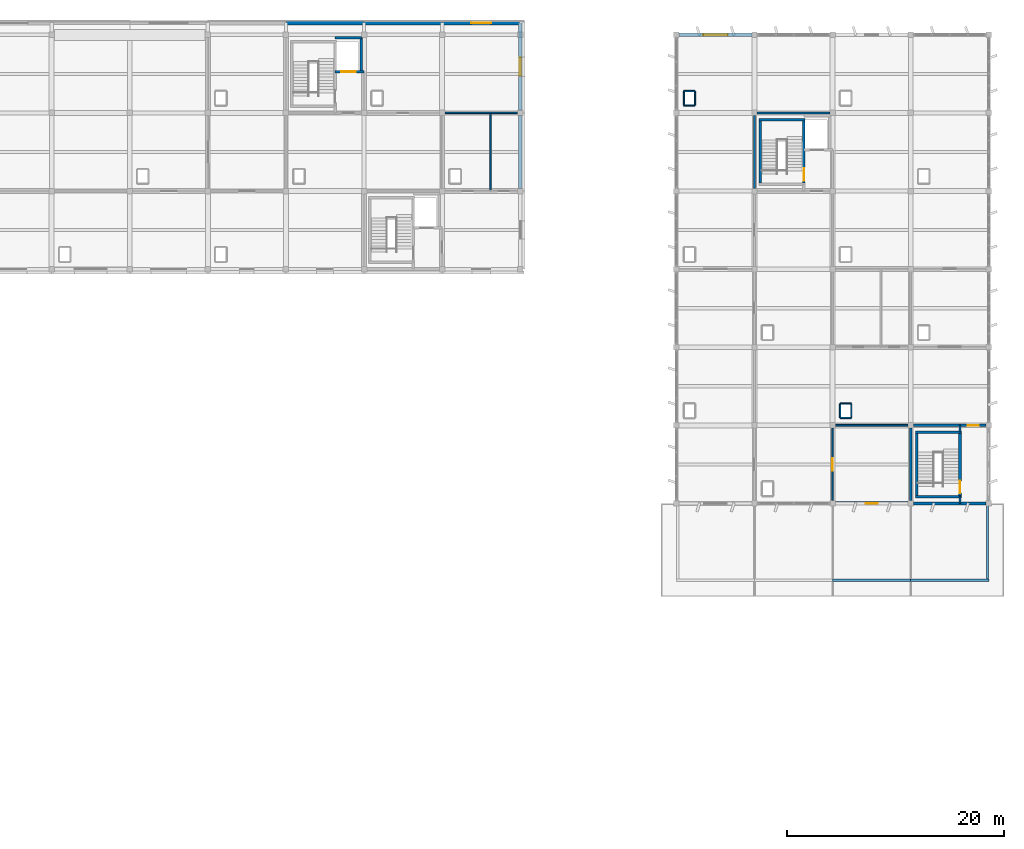
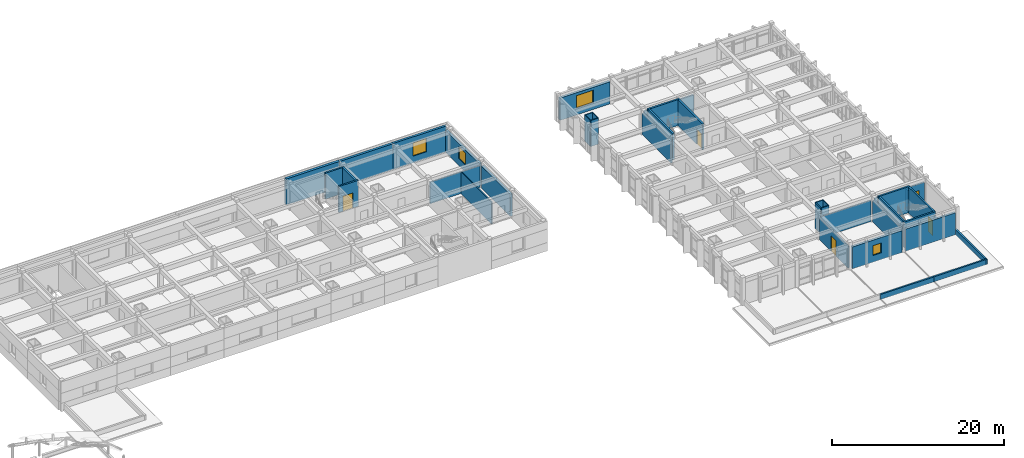
# One storey, part 35 of 40: 40 walls, 5 doors, 4 windows, 9 openings.
"""IFC4 building model written with IfcOpenShell, lengths in metres."""

from ifc_helpers import new_model, si_unit, direction, frame, frame_2d, origin, place, context, subcontext, project, spatial, rectangle, extrude, material, layer, layer_set, type_object, element, fill, save


model = new_model("IFC4")

# Units and contexts
model_context = context("Model", 3, precision=1e-05, world=origin(), true_north=direction((0.0, 1.0)))
body_context = subcontext(model_context, "Body", "Model", "MODEL_VIEW")
ifc_project = project(units=[si_unit("LENGTHUNIT", "METRE"), si_unit("AREAUNIT", "SQUARE_METRE"), si_unit("VOLUMEUNIT", "CUBIC_METRE"), si_unit("PLANEANGLEUNIT", "RADIAN"), si_unit("MASSUNIT", "GRAM", prefix="KILO")], contexts=[model_context])

# Site, building, storey
site_placement = place(None, origin())
site = spatial("IfcSite", under=ifc_project, at=site_placement, CompositionType="ELEMENT")
building_placement = place(site_placement, origin())
building = spatial("IfcBuilding", under=site, at=building_placement, Name="Kavelor Marine Aquarium", CompositionType="ELEMENT")
storey_placement = place(building_placement, frame((0.0, 0.0, 17.639892578125)))
storey = spatial("IfcBuildingStorey", under=building, at=storey_placement, Name="L04", CompositionType="ELEMENT", Elevation=17.639892578125)

# Walls
ifc_material_1 = material(Name="Concrete C45/55", Category="concrete")
ifc_layer_1 = layer(ifc_material_1, 0.360107421875)
ifc_layer_set_1 = layer_set([ifc_layer_1], Name="WL-EX1")
wall_type_1 = type_object("IfcWallType", Name="WL-EX1", PredefinedType="STANDARD", material=ifc_layer_set_1)
wall_1_placement = place(storey_placement, frame((82.39990234375, 111.8798828125, 0.0), z_axis=(0.0, 0.0, 1.0), x_axis=(1.0, 0.0, 0.0)))
element("IfcWall", 1, at=wall_1_placement, inside=storey, type_object=wall_type_1, Name="ew:x:L04:11_15", PredefinedType="STANDARD", context=body_context, shape_type="SweptSolid", body=[
    extrude(rectangle(XDim=7.2001953125, YDim=0.360107421875, at=frame_2d((3.60009765625, 0.0))), origin(), (0.0, 0.0, 1.0), 3.690185546875),
])
ifc_material_2 = material(Name="Concrete C45/55", Category="concrete")
ifc_layer_2 = layer(ifc_material_2, 0.320068359375)
ifc_layer_set_2 = layer_set([ifc_layer_2], Name="WL-EX2")
wall_type_2 = type_object("IfcWallType", Name="WL-EX2", PredefinedType="STANDARD", material=ifc_layer_set_2)
wall_2_placement = place(storey_placement, frame((89.60009765625, 111.8798828125, 0.0), z_axis=(0.0, 0.0, 1.0), x_axis=(1.0, 0.0, 0.0)))
element("IfcWall", 2, at=wall_2_placement, inside=storey, type_object=wall_type_2, Name="ew:x:L04:12_15", PredefinedType="STANDARD", context=body_context, shape_type="SweptSolid", body=[
    extrude(rectangle(XDim=7.199951171875, YDim=0.320068359375, at=frame_2d((3.60009765625, 0.0))), origin(), (0.0, 0.0, 1.0), 3.670166015625),
])

# Wall, opening, window
wall_3_placement = place(storey_placement, frame((139.7548828125, 67.60009765625, 0.0), z_axis=(0.0, 0.0, 1.0), x_axis=(-1.0, 0.0, 0.0)))
wall_3 = element("IfcWall", 3, at=wall_3_placement, inside=storey, type_object=wall_type_2, Name="ew:x:L04:18_09", PredefinedType="STANDARD", context=body_context, shape_type="SweptSolid", body=[
    extrude(rectangle(XDim=6.7099609375, YDim=0.320068359375, at=frame_2d((3.35498046875, 0.0))), origin(), (0.0, 0.0, 1.0), 3.1201171875),
])
opening_1_placement = place(wall_3_placement, frame((2.804931640625, 0.0, 0.949951171875)))
opening_1 = element("IfcOpeningElement", 4, at=opening_1_placement, cuts=wall_3, Name="Opening W01", PredefinedType="OPENING", context=body_context, shape_type="SweptSolid", body=[
    extrude(rectangle(XDim=1.10009765625, YDim=1.39990234375, at=frame_2d((0.550048828125, 0.699951171875))), frame((0.0, 0.169921875, 0.0), z_axis=(0.0, -1.0, 0.0), x_axis=(1.0, 0.0, 0.0)), (0.0, 0.0, 1.0), 0.340068),
])
ifc_material_3 = material(Name="Anodised Aluminium Frame with Low-E Double Glazing", Category="aluminium")
window_type_1 = type_object("IfcWindowType", Name="WIN-W01", PartitioningType="SINGLE_PANEL", PredefinedType="WINDOW", material=ifc_material_3)
window_1_placement = place(opening_1_placement, origin())
window_1 = element("IfcWindow", 5, at=window_1_placement, inside=storey, type_object=window_type_1, Name="win:x:L04:18_09", OverallHeight=1.39990234375, OverallWidth=1.10009765625, PartitioningType="SINGLE_PANEL", PredefinedType="WINDOW", context=body_context, shape_type="SweptSolid", body=[
    extrude(rectangle(XDim=1.10009765625, YDim=1.39990234375, at=frame_2d((0.550048828125, 0.699951171875))), frame((0.0, 0.030029296875, 0.0), z_axis=(0.0, -1.0, 0.0), x_axis=(1.0, 0.0, 0.0)), (0.0, 0.0, 1.0), 0.06005859375),
])
fill(opening_1, window_1)

# Wall
wall_4_placement = place(storey_placement, frame((104.0, 103.35498046875, 0.0), z_axis=(0.0, 0.0, 1.0), x_axis=(0.0, -1.0, 0.0)))
element("IfcWall", 6, at=wall_4_placement, inside=storey, type_object=wall_type_2, Name="ew:y:L04:14_13", PredefinedType="STANDARD", context=body_context, shape_type="SweptSolid", body=[
    extrude(rectangle(XDim=6.7099609375, YDim=0.320068359375, at=frame_2d((3.35498046875, 0.0))), origin(), (0.0, 0.0, 1.0), 3.14013671875),
])

# Wall, opening, window
ifc_material_4 = material(Name="Concrete C40/50", Category="concrete")
ifc_layer_3 = layer(ifc_material_4, 0.300048828125)
ifc_layer_set_3 = layer_set([ifc_layer_3], Name="WL-EX3")
wall_type_3 = type_object("IfcWallType", Name="WL-EX3", PredefinedType="STANDARD", material=ifc_layer_set_3)
wall_5_placement = place(storey_placement, frame((96.800048828125, 111.8798828125, 0.0), z_axis=(0.0, 0.0, 1.0), x_axis=(1.0, 0.0, 0.0)))
wall_5 = element("IfcWall", 7, at=wall_5_placement, inside=storey, type_object=wall_type_3, Name="ew:x:L04:13_15", PredefinedType="STANDARD", context=body_context, shape_type="SweptSolid", body=[
    extrude(rectangle(XDim=7.199951171875, YDim=0.300048828125, at=frame_2d((3.60009765625, 0.0))), origin(), (0.0, 0.0, 1.0), 3.690185546875),
])
opening_2_placement = place(wall_5_placement, frame((2.675048828125, 0.0, 0.949951171875)))
opening_2 = element("IfcOpeningElement", 8, at=opening_2_placement, cuts=wall_5, Name="Opening W40", PredefinedType="OPENING", context=body_context, shape_type="SweptSolid", body=[
    extrude(rectangle(XDim=1.85009765625, YDim=1.89990234375, at=frame_2d((0.925048828125, 0.949951171875))), frame((0.0, 0.159912109375, 0.0), z_axis=(0.0, -1.0, 0.0), x_axis=(1.0, 0.0, 0.0)), (0.0, 0.0, 1.0), 0.320049),
])
ifc_material_5 = material(Name="Anodised Aluminium Frame with Low-E Double Glazing", Category="aluminium")
window_type_2 = type_object("IfcWindowType", Name="WIN-W40", PartitioningType="DOUBLE_PANEL_VERTICAL", PredefinedType="WINDOW", material=ifc_material_5)
window_2_placement = place(opening_2_placement, origin())
window_2 = element("IfcWindow", 9, at=window_2_placement, inside=storey, type_object=window_type_2, Name="win:x:L04:13_15", OverallHeight=1.89990234375, OverallWidth=1.85009765625, PartitioningType="SINGLE_PANEL", PredefinedType="WINDOW", context=body_context, shape_type="SweptSolid", body=[
    extrude(rectangle(XDim=1.85009765625, YDim=1.89990234375, at=frame_2d((0.925048828125, 0.949951171875))), frame((0.0, 0.030029296875, 0.0), z_axis=(0.0, -1.0, 0.0), x_axis=(1.0, 0.0, 0.0)), (0.0, 0.0, 1.0), 0.06005859375),
])
fill(opening_2, window_2)

# Wall
wall_6_placement = place(storey_placement, frame((146.955078125, 67.60009765625, 0.0), z_axis=(0.0, 0.0, 1.0), x_axis=(-1.0, 0.0, 0.0)))
element("IfcWall", 10, at=wall_6_placement, inside=storey, type_object=wall_type_3, Name="ew:x:L04:19_09", PredefinedType="STANDARD", context=body_context, shape_type="SweptSolid", body=[
    extrude(rectangle(XDim=6.7099609375, YDim=0.300048828125, at=frame_2d((3.35498046875, 0.0))), origin(), (0.0, 0.0, 1.0), 3.14013671875),
])

# Wall, opening, window
wall_7_placement = place(storey_placement, frame((104.0, 111.8798828125, 0.0), z_axis=(0.0, 0.0, 1.0), x_axis=(0.0, -1.0, 0.0)))
wall_7 = element("IfcWall", 11, at=wall_7_placement, inside=storey, type_object=wall_type_3, Name="ew:y:L04:14_14", PredefinedType="STANDARD", context=body_context, shape_type="SweptSolid", body=[
    extrude(rectangle(XDim=8.034912109375, YDim=0.300048828125, at=frame_2d((4.017578125, 0.0))), origin(), (0.0, 0.0, 1.0), 3.14013671875),
])
opening_3_placement = place(wall_7_placement, frame((3.16748046875, 0.0, 0.949951171875)))
opening_3 = element("IfcOpeningElement", 12, at=opening_3_placement, cuts=wall_7, Name="Opening W07", PredefinedType="OPENING", context=body_context, shape_type="SweptSolid", body=[
    extrude(rectangle(XDim=1.699951171875, YDim=1.75, at=frame_2d((0.85009765625, 0.875))), frame((0.0, 0.159912109375, 0.0), z_axis=(0.0, -1.0, 0.0), x_axis=(1.0, 0.0, 0.0)), (0.0, 0.0, 1.0), 0.320049),
])
ifc_material_6 = material(Name="Anodised Aluminium Frame with Low-E Double Glazing", Category="aluminium")
window_type_3 = type_object("IfcWindowType", Name="WIN-W07", PartitioningType="SINGLE_PANEL", PredefinedType="WINDOW", material=ifc_material_6)
window_3_placement = place(opening_3_placement, origin())
window_3 = element("IfcWindow", 13, at=window_3_placement, inside=storey, type_object=window_type_3, Name="win:y:L04:14_14", OverallHeight=1.75, OverallWidth=1.699951171875, PartitioningType="SINGLE_PANEL", PredefinedType="WINDOW", context=body_context, shape_type="SweptSolid", body=[
    extrude(rectangle(XDim=1.699951171875, YDim=1.75, at=frame_2d((0.85009765625, 0.875))), frame((0.0, 0.030029296875, 0.0), z_axis=(0.0, -1.0, 0.0), x_axis=(1.0, 0.0, 0.0)), (0.0, 0.0, 1.0), 0.06005859375),
])
fill(opening_3, window_3)

ifc_material_7 = material(Name="Concrete C45/55", Category="concrete")
ifc_layer_4 = layer(ifc_material_7, 0.340087890625)
ifc_layer_set_4 = layer_set([ifc_layer_4], Name="WL-EX6")
wall_type_4 = type_object("IfcWallType", Name="WL-EX6", PredefinedType="STANDARD", material=ifc_layer_set_4)
wall_8_placement = place(storey_placement, frame((118.64501953125, 110.800048828125, 0.0), z_axis=(0.0, 0.0, 1.0), x_axis=(1.0, 0.0, 0.0)))
wall_8 = element("IfcWall", 14, at=wall_8_placement, inside=storey, type_object=wall_type_4, Name="ew:x:L04:16_15", PredefinedType="STANDARD", context=body_context, shape_type="SweptSolid", body=[
    extrude(rectangle(XDim=6.7099609375, YDim=0.340087890625, at=frame_2d((3.35498046875, 0.0))), origin(), (0.0, 0.0, 1.0), 3.16015625),
])
opening_4_placement = place(wall_8_placement, frame((2.22998046875, 0.0, 0.949951171875)))
opening_4 = element("IfcOpeningElement", 15, at=opening_4_placement, cuts=wall_8, Name="Opening W42", PredefinedType="OPENING", context=body_context, shape_type="SweptSolid", body=[
    extrude(rectangle(XDim=2.25, YDim=1.800048828125, at=frame_2d((1.125, 0.89990234375))), frame((0.0, 0.179931640625, 0.0), z_axis=(0.0, -1.0, 0.0), x_axis=(1.0, 0.0, 0.0)), (0.0, 0.0, 1.0), 0.360088),
])
ifc_material_8 = material(Name="Anodised Aluminium Frame with Low-E Double Glazing", Category="aluminium")
window_type_4 = type_object("IfcWindowType", Name="WIN-W42", PartitioningType="DOUBLE_PANEL_VERTICAL", PredefinedType="WINDOW", material=ifc_material_8)
window_4_placement = place(opening_4_placement, origin())
window_4 = element("IfcWindow", 16, at=window_4_placement, inside=storey, type_object=window_type_4, Name="win:x:L04:16_15", OverallHeight=1.800048828125, OverallWidth=2.25, PartitioningType="SINGLE_PANEL", PredefinedType="WINDOW", context=body_context, shape_type="SweptSolid", body=[
    extrude(rectangle(XDim=2.25, YDim=1.800048828125, at=frame_2d((1.125, 0.89990234375))), frame((0.0, 0.030029296875, 0.0), z_axis=(0.0, -1.0, 0.0), x_axis=(1.0, 0.0, 0.0)), (0.0, 0.0, 1.0), 0.06005859375),
])
fill(opening_4, window_4)

# Walls
ifc_material_9 = material(Name="Concrete C40/50", Category="concrete")
ifc_layer_5 = layer(ifc_material_9, 0.219970703125)
ifc_layer_set_5 = layer_set([ifc_layer_5], Name="WL-PR2")
wall_type_5 = type_object("IfcWallType", Name="WL-PR2", PredefinedType="PARAPET", material=ifc_layer_set_5)
for number, where, z_axis, x_axis, name in (
    (17, (132.800048828125, 60.52001953125, 0.0), (0.0, 0.0, 1.0), (1.0, 0.0, 0.0), "par:s:L04:18_08"),
    (18, (140.0, 60.52001953125, 0.0), (0.0, 0.0, 1.0), (1.0, 0.0, 0.0), "par:s:L04:19_08"),
):
    element("IfcWall", number, at=place(storey_placement, frame(where, z_axis=z_axis, x_axis=x_axis)), inside=storey, type_object=wall_type_5, Name=name, PredefinedType="PARAPET", context=body_context, shape_type="SweptSolid", body=[
        extrude(rectangle(XDim=7.199951171875, YDim=0.219970703125, at=frame_2d((3.60009765625, 0.0))), origin(), (0.0, 0.0, 1.0), 0.72021484375),
    ])
wall_9_placement = place(storey_placement, frame((147.080078125, 60.39990234375, 0.0), z_axis=(0.0, 0.0, 1.0), x_axis=(0.0, 1.0, 0.0)))
element("IfcWall", 19, at=wall_9_placement, inside=storey, type_object=wall_type_5, Name="par:e:L04:19_08", PredefinedType="PARAPET", context=body_context, shape_type="SweptSolid", body=[
    extrude(rectangle(XDim=7.2001953125, YDim=0.219970703125, at=frame_2d((3.60009765625, 0.0))), origin(), (0.0, 0.0, 1.0), 0.72021484375),
])
ifc_material_10 = material(Name="Concrete Blockwork Partition", Category="masonry")
ifc_layer_6 = layer(ifc_material_10, 0.199951171875)
ifc_layer_set_6 = layer_set([ifc_layer_6], Name="WL-PT1")
wall_type_6 = type_object("IfcWallType", Name="WL-PT1", PredefinedType="PARTITIONING", material=ifc_layer_set_6)
wall_10_placement = place(storey_placement, frame((125.60009765625, 96.64990234375, 0.0), z_axis=(0.0, 0.0, 1.0), x_axis=(0.0, 1.0, 0.0)))
element("IfcWall", 20, at=wall_10_placement, inside=storey, type_object=wall_type_6, Name="pt:lob:C10:L04:w", PredefinedType="PARTITIONING", context=body_context, shape_type="SweptSolid", body=[
    extrude(rectangle(XDim=6.7001953125, YDim=0.199951171875, at=frame_2d((3.35009765625, 0.0))), origin(), (0.0, 0.0, 1.0), 3.070068359375),
])
wall_11_placement = place(storey_placement, frame((125.85009765625, 103.60009765625, 0.0), z_axis=(0.0, 0.0, 1.0), x_axis=(1.0, 0.0, 0.0)))
element("IfcWall", 21, at=wall_11_placement, inside=storey, type_object=wall_type_6, Name="pt:lob:C10:L04:n_full", PredefinedType="PARTITIONING", context=body_context, shape_type="SweptSolid", body=[
    extrude(rectangle(XDim=6.699951171875, YDim=0.199951171875, at=frame_2d((3.35009765625, 0.0))), origin(), (0.0, 0.0, 1.0), 3.090087890625),
])
wall_12_placement = place(storey_placement, frame((144.5400390625, 67.60009765625, 0.0), z_axis=(0.0, 0.0, 1.0), x_axis=(0.0, 1.0, 0.0)))
element("IfcWall", 22, at=wall_12_placement, inside=storey, type_object=wall_type_6, Name="pt:st_close:s:C11:L04", PredefinedType="PARTITIONING", context=body_context, shape_type="SweptSolid", body=[
    extrude(rectangle(XDim=0.619873046875, YDim=0.199951171875, at=frame_2d((0.31005859375, 0.0))), origin(), (0.0, 0.0, 1.0), 3.14013671875),
])
wall_13_placement = place(storey_placement, frame((144.5400390625, 74.179931640625, 0.0), z_axis=(0.0, 0.0, 1.0), x_axis=(0.0, 1.0, 0.0)))
element("IfcWall", 23, at=wall_13_placement, inside=storey, type_object=wall_type_6, Name="pt:st_close:n:C11:L04", PredefinedType="PARTITIONING", context=body_context, shape_type="SweptSolid", body=[
    extrude(rectangle(XDim=0.6201171875, YDim=0.199951171875, at=frame_2d((0.31005859375, 0.0))), origin(), (0.0, 0.0, 1.0), 3.090087890625),
])
wall_14_placement = place(storey_placement, frame((140.0, 67.85009765625, 0.0), z_axis=(0.0, 0.0, 1.0), x_axis=(0.0, 1.0, 0.0)))
element("IfcWall", 24, at=wall_14_placement, inside=storey, type_object=wall_type_6, Name="pt:lob:C11:L04:w", PredefinedType="PARTITIONING", context=body_context, shape_type="SweptSolid", body=[
    extrude(rectangle(XDim=6.699951171875, YDim=0.199951171875, at=frame_2d((3.35009765625, 0.0))), origin(), (0.0, 0.0, 1.0), 3.070068359375),
])
wall_15_placement = place(storey_placement, frame((140.25, 74.800048828125, 0.0), z_axis=(0.0, 0.0, 1.0), x_axis=(1.0, 0.0, 0.0)))
element("IfcWall", 25, at=wall_15_placement, inside=storey, type_object=wall_type_6, Name="pt:lob:C11:L04:n_st", PredefinedType="PARTITIONING", context=body_context, shape_type="SweptSolid", body=[
    extrude(rectangle(XDim=4.2900390625, YDim=0.199951171875, at=frame_2d((2.14501953125, 0.0))), origin(), (0.0, 0.0, 1.0), 3.090087890625),
])

# Wall, opening, door
wall_16_placement = place(storey_placement, frame((144.5400390625, 74.800048828125, 0.0), z_axis=(0.0, 0.0, 1.0), x_axis=(1.0, 0.0, 0.0)))
wall_16 = element("IfcWall", 26, at=wall_16_placement, inside=storey, type_object=wall_type_6, Name="pt:lob:C11:L04:n", PredefinedType="PARTITIONING", context=body_context, shape_type="SweptSolid", body=[
    extrude(rectangle(XDim=2.409912109375, YDim=0.199951171875, at=frame_2d((1.205078125, 0.0))), origin(), (0.0, 0.0, 1.0), 3.090087890625),
])
opening_5_placement = place(wall_16_placement, frame((0.695068359375, 0.0, 0.0)))
opening_5 = element("IfcOpeningElement", 27, at=opening_5_placement, cuts=wall_16, Name="Opening SD1", PredefinedType="OPENING", context=body_context, shape_type="SweptSolid", body=[
    extrude(rectangle(XDim=1.02001953125, YDim=2.14990234375, at=frame_2d((0.510009765625, 1.074951171875))), frame((0.0, 0.10986328125, 0.0), z_axis=(0.0, -1.0, 0.0), x_axis=(1.0, 0.0, 0.0)), (0.0, 0.0, 1.0), 0.219951),
])
ifc_material_11 = material(Name="Fire-Rated Corridor Compartment Door")
door_type_1 = type_object("IfcDoorType", Name="DR-SD1", OperationType="NOTDEFINED", PredefinedType="DOOR", material=ifc_material_11)
door_1_placement = place(opening_5_placement, origin())
door_1 = element("IfcDoor", 28, at=door_1_placement, inside=storey, type_object=door_type_1, Name="Core Lobby Fire Door C11-L04", OperationType="SINGLE_SWING_RIGHT", OverallHeight=2.14990234375, OverallWidth=1.02001953125, PredefinedType="DOOR", context=body_context, shape_type="SweptSolid", body=[
    extrude(rectangle(XDim=1.02001953125, YDim=2.14990234375, at=frame_2d((0.510009765625, 1.074951171875))), frame((0.0, 0.02490234375, 0.0), z_axis=(0.0, -1.0, 0.0), x_axis=(1.0, 0.0, 0.0)), (0.0, 0.0, 1.0), 0.050048828125),
])
fill(opening_5, door_1)

ifc_material_12 = material(Name="Acoustic Gypsum Stud Partition")
ifc_layer_7 = layer(ifc_material_12, 0.159912109375)
ifc_layer_set_7 = layer_set([ifc_layer_7], Name="WL-PT2")
wall_type_7 = type_object("IfcWallType", Name="WL-PT2", PredefinedType="PARTITIONING", material=ifc_layer_set_7)
wall_17_placement = place(storey_placement, frame((132.800048828125, 67.85009765625, 0.0), z_axis=(0.0, 0.0, 1.0), x_axis=(0.0, 1.0, 0.0)))
wall_17 = element("IfcWall", 29, at=wall_17_placement, inside=storey, type_object=wall_type_7, Name="pt:y:L04:17_09", PredefinedType="PARTITIONING", context=body_context, shape_type="SweptSolid", body=[
    extrude(rectangle(XDim=6.699951171875, YDim=0.159912109375, at=frame_2d((3.35009765625, 0.0))), origin(), (0.0, 0.0, 1.0), 3.070068359375),
])
opening_6_placement = place(wall_17_placement, frame((2.77001953125, 0.0, 0.0)))
opening_6 = element("IfcOpeningElement", 30, at=opening_6_placement, cuts=wall_17, Name="Opening D09", PredefinedType="OPENING", context=body_context, shape_type="SweptSolid", body=[
    extrude(rectangle(XDim=1.159912109375, YDim=2.179931640625, at=frame_2d((0.580078125, 1.08984375))), frame((0.0, 0.08984375, 0.0), z_axis=(0.0, -1.0, 0.0), x_axis=(1.0, 0.0, 0.0)), (0.0, 0.0, 1.0), 0.179912),
])
ifc_material_13 = material(Name="Husbandry Prep Marine Door")
door_type_2 = type_object("IfcDoorType", Name="DR-D09", OperationType="NOTDEFINED", PredefinedType="DOOR", material=ifc_material_13)
door_2_placement = place(opening_6_placement, origin())
door_2 = element("IfcDoor", 31, at=door_2_placement, inside=storey, type_object=door_type_2, Name="dr:rm:pt:y:L04:17_09:0", OperationType="SINGLE_SWING_LEFT", OverallHeight=2.179931640625, OverallWidth=1.159912109375, PredefinedType="DOOR", context=body_context, shape_type="SweptSolid", body=[
    extrude(rectangle(XDim=1.159912109375, YDim=2.179931640625, at=frame_2d((0.580078125, 1.08984375))), frame((0.0, 0.02490234375, 0.0), z_axis=(0.0, -1.0, 0.0), x_axis=(1.0, 0.0, 0.0)), (0.0, 0.0, 1.0), 0.050048828125),
])
fill(opening_6, door_2)

# Walls
wall_18_placement = place(storey_placement, frame((133.050048828125, 74.800048828125, 0.0), z_axis=(0.0, 0.0, 1.0), x_axis=(1.0, 0.0, 0.0)))
element("IfcWall", 32, at=wall_18_placement, inside=storey, type_object=wall_type_7, Name="pt:x:L04:18_09", PredefinedType="PARTITIONING", context=body_context, shape_type="SweptSolid", body=[
    extrude(rectangle(XDim=6.699951171875, YDim=0.159912109375, at=frame_2d((3.35009765625, 0.0))), origin(), (0.0, 0.0, 1.0), 3.02001953125),
])
ifc_material_14 = material(Name="Moisture-Resistant Marine Partition")
ifc_layer_8 = layer(ifc_material_14, 0.139892578125)
ifc_layer_set_8 = layer_set([ifc_layer_8], Name="WL-PT3")
wall_type_8 = type_object("IfcWallType", Name="WL-PT3", PredefinedType="PARTITIONING", material=ifc_layer_set_8)
wall_19_placement = place(storey_placement, frame((101.25, 96.39990234375, 0.0), z_axis=(0.0, 0.0, 1.0), x_axis=(0.0, 1.0, 0.0)))
element("IfcWall", 33, at=wall_19_placement, inside=storey, type_object=wall_type_8, Name="pt:san:div:L04:13_13", PredefinedType="PARTITIONING", context=body_context, shape_type="SweptSolid", body=[
    extrude(rectangle(XDim=7.2001953125, YDim=0.139892578125, at=frame_2d((3.60009765625, 0.0))), origin(), (0.0, 0.0, 1.0), 3.1201171875),
])
wall_20_placement = place(storey_placement, frame((97.050048828125, 103.60009765625, 0.0), z_axis=(0.0, 0.0, 1.0), x_axis=(1.0, 0.0, 0.0)))
element("IfcWall", 34, at=wall_20_placement, inside=storey, type_object=wall_type_8, Name="pt:san:enc_n:L04:13_13", PredefinedType="PARTITIONING", context=body_context, shape_type="SweptSolid", body=[
    extrude(rectangle(XDim=6.699951171875, YDim=0.139892578125, at=frame_2d((3.35009765625, 0.0))), origin(), (0.0, 0.0, 1.0), 3.090087890625),
])
ifc_material_15 = material(Name="Lightweight Drywall Partition")
ifc_layer_9 = layer(ifc_material_15, 0.1201171875)
ifc_layer_set_9 = layer_set([ifc_layer_9], Name="WL-PT4")
wall_type_9 = type_object("IfcWallType", Name="WL-PT4", PredefinedType="PARTITIONING", material=ifc_layer_set_9)
for number, where, z_axis, x_axis, name in (
    (35, (119.090087890625, 104.2900390625, 0.0), (0.0, 0.0, 1.0), (1.0, 0.0, 0.0), "riser:s:L04:16_14"),
    (36, (119.090087890625, 105.610107421875, 0.0), (0.0, 0.0, 1.0), (1.0, 0.0, 0.0), "riser:n:L04:16_14"),
):
    element("IfcWall", number, at=place(storey_placement, frame(where, z_axis=z_axis, x_axis=x_axis)), inside=storey, type_object=wall_type_9, Name=name, PredefinedType="PARTITIONING", context=body_context, shape_type="SweptSolid", body=[
        extrude(rectangle(XDim=1.02001953125, YDim=0.1201171875, at=frame_2d((0.510009765625, 0.0))), origin(), (0.0, 0.0, 1.0), 3.7001953125),
    ])
for number, where, z_axis, x_axis, name in (
    (37, (119.090087890625, 104.2900390625, 0.0), (0.0, 0.0, 1.0), (0.0, 1.0, 0.0), "riser:w:L04:16_14"),
    (38, (120.110107421875, 104.2900390625, 0.0), (0.0, 0.0, 1.0), (0.0, 1.0, 0.0), "riser:e:L04:16_14"),
):
    element("IfcWall", number, at=place(storey_placement, frame(where, z_axis=z_axis, x_axis=x_axis)), inside=storey, type_object=wall_type_9, Name=name, PredefinedType="PARTITIONING", context=body_context, shape_type="SweptSolid", body=[
        extrude(rectangle(XDim=1.320068359375, YDim=0.1201171875, at=frame_2d((0.66015625, 0.0))), origin(), (0.0, 0.0, 1.0), 3.7001953125),
    ])
for number, where, z_axis, x_axis, name in (
    (39, (133.489990234375, 75.489990234375, 0.0), (0.0, 0.0, 1.0), (1.0, 0.0, 0.0), "riser:s:L04:18_10"),
    (40, (133.489990234375, 76.81005859375, 0.0), (0.0, 0.0, 1.0), (1.0, 0.0, 0.0), "riser:n:L04:18_10"),
):
    element("IfcWall", number, at=place(storey_placement, frame(where, z_axis=z_axis, x_axis=x_axis)), inside=storey, type_object=wall_type_9, Name=name, PredefinedType="PARTITIONING", context=body_context, shape_type="SweptSolid", body=[
        extrude(rectangle(XDim=1.02001953125, YDim=0.1201171875, at=frame_2d((0.510009765625, 0.0))), origin(), (0.0, 0.0, 1.0), 3.66015625),
    ])
for number, where, z_axis, x_axis, name in (
    (41, (133.489990234375, 75.489990234375, 0.0), (0.0, 0.0, 1.0), (0.0, 1.0, 0.0), "riser:w:L04:18_10"),
    (42, (134.510009765625, 75.489990234375, 0.0), (0.0, 0.0, 1.0), (0.0, 1.0, 0.0), "riser:e:L04:18_10"),
):
    element("IfcWall", number, at=place(storey_placement, frame(where, z_axis=z_axis, x_axis=x_axis)), inside=storey, type_object=wall_type_9, Name=name, PredefinedType="PARTITIONING", context=body_context, shape_type="SweptSolid", body=[
        extrude(rectangle(XDim=1.320068359375, YDim=0.1201171875, at=frame_2d((0.66015625, 0.0))), origin(), (0.0, 0.0, 1.0), 3.66015625),
    ])

# Wall, opening, door
ifc_material_16 = material(Name="Concrete C40/50", Category="concrete")
ifc_layer_10 = layer(ifc_material_16, 0.35009765625)
ifc_layer_set_10 = layer_set([ifc_layer_10], Name="WL-SW2")
wall_type_10 = type_object("IfcWallType", Name="WL-SW2", PredefinedType="SHEAR", material=ifc_layer_set_10)
wall_21_placement = place(storey_placement, frame((86.93994140625, 107.39990234375, 0.0), z_axis=(0.0, 0.0, 1.0), x_axis=(1.0, 0.0, 0.0)))
wall_21 = element("IfcWall", 43, at=wall_21_placement, inside=storey, type_object=wall_type_10, Name="cw_lf:s:C06:L04", PredefinedType="SHEAR", context=body_context, shape_type="SweptSolid", body=[
    extrude(rectangle(XDim=2.66015625, YDim=0.219970703125, at=frame_2d((1.330078125, 0.0))), origin(), (0.0, 0.0, 1.0), 3.7001953125),
])
opening_7_placement = place(wall_21_placement, frame((0.534912109375, 0.0, 0.0)))
opening_7 = element("IfcOpeningElement", 44, at=opening_7_placement, cuts=wall_21, Name="Opening LD2", PredefinedType="OPENING", context=body_context, shape_type="SweptSolid", body=[
    extrude(rectangle(XDim=1.340087890625, YDim=2.14990234375, at=frame_2d((0.669921875, 1.074951171875))), frame((0.0, 0.119873046875, 0.0), z_axis=(0.0, -1.0, 0.0), x_axis=(1.0, 0.0, 0.0)), (0.0, 0.0, 1.0), 0.239971),
])
ifc_material_17 = material(Name="Stainless Steel Goods and Stretcher Lift Sliding Door", Category="steel")
door_type_3 = type_object("IfcDoorType", Name="DR-LD2", OperationType="NOTDEFINED", PredefinedType="DOOR", material=ifc_material_17)
door_3_placement = place(opening_7_placement, origin())
door_3 = element("IfcDoor", 45, at=door_3_placement, inside=storey, type_object=door_type_3, Name="Lift Landing Sliding Door FL1-L04", OperationType="DOUBLE_DOOR_SLIDING", OverallHeight=2.14990234375, OverallWidth=1.340087890625, PredefinedType="DOOR", context=body_context, shape_type="SweptSolid", body=[
    extrude(rectangle(XDim=1.340087890625, YDim=2.14990234375, at=frame_2d((0.669921875, 1.074951171875))), frame((0.0, 0.02490234375, 0.0), z_axis=(0.0, -1.0, 0.0), x_axis=(1.0, 0.0, 0.0)), (0.0, 0.0, 1.0), 0.050048828125),
])
fill(opening_7, door_3)

# Walls
wall_22_placement = place(storey_placement, frame((86.93994140625, 110.550048828125, 0.0), z_axis=(0.0, 0.0, 1.0), x_axis=(1.0, 0.0, 0.0)))
element("IfcWall", 46, at=wall_22_placement, inside=storey, type_object=wall_type_10, Name="cw_lf:n:C06:L04", PredefinedType="SHEAR", context=body_context, shape_type="SweptSolid", body=[
    extrude(rectangle(XDim=2.41015625, YDim=0.219970703125, at=frame_2d((1.205078125, 0.0))), origin(), (0.0, 0.0, 1.0), 3.7001953125),
])
wall_23_placement = place(storey_placement, frame((89.35009765625, 107.39990234375, 0.0), z_axis=(0.0, 0.0, 1.0), x_axis=(0.0, 1.0, 0.0)))
element("IfcWall", 47, at=wall_23_placement, inside=storey, type_object=wall_type_10, Name="cw_lf:e:C06:L04", PredefinedType="SHEAR", context=body_context, shape_type="SweptSolid", body=[
    extrude(rectangle(XDim=3.150146484375, YDim=0.219970703125, at=frame_2d((1.5751953125, 0.0))), origin(), (0.0, 0.0, 1.0), 3.7001953125),
])
wall_24_placement = place(storey_placement, frame((126.02001953125, 102.97998046875, 0.0), z_axis=(0.0, 0.0, 1.0), x_axis=(1.0, 0.0, 0.0)))
element("IfcWall", 48, at=wall_24_placement, inside=storey, type_object=wall_type_10, Name="cw_st:n:C10:L04", PredefinedType="SHEAR", context=body_context, shape_type="SweptSolid", body=[
    extrude(rectangle(XDim=4.239990234375, YDim=0.239990234375, at=frame_2d((2.1201171875, 0.0))), origin(), (0.0, 0.0, 1.0), 3.7001953125),
])
wall_25_placement = place(storey_placement, frame((126.139892578125, 97.139892578125, 0.0), z_axis=(0.0, 0.0, 1.0), x_axis=(0.0, 1.0, 0.0)))
element("IfcWall", 49, at=wall_25_placement, inside=storey, type_object=wall_type_10, Name="cw_st:w:C10:L04", PredefinedType="SHEAR", context=body_context, shape_type="SweptSolid", body=[
    extrude(rectangle(XDim=5.72021484375, YDim=0.239990234375, at=frame_2d((2.860107421875, 0.0))), origin(), (0.0, 0.0, 1.0), 3.7001953125),
])

# Wall, opening, door
wall_26_placement = place(storey_placement, frame((130.139892578125, 97.139892578125, 0.0), z_axis=(0.0, 0.0, 1.0), x_axis=(0.0, 1.0, 0.0)))
wall_26 = element("IfcWall", 50, at=wall_26_placement, inside=storey, type_object=wall_type_10, Name="cw_st:e:C10:L04", PredefinedType="SHEAR", context=body_context, shape_type="SweptSolid", body=[
    extrude(rectangle(XDim=5.72021484375, YDim=0.239990234375, at=frame_2d((2.860107421875, 0.0))), origin(), (0.0, 0.0, 1.0), 3.7001953125),
])
opening_8_placement = place(wall_26_placement, frame((0.219970703125, 0.0, 0.0)))
opening_8 = element("IfcOpeningElement", 51, at=opening_8_placement, cuts=wall_26, Name="Opening FD1", PredefinedType="OPENING", context=body_context, shape_type="SweptSolid", body=[
    extrude(rectangle(XDim=1.1201171875, YDim=2.14990234375, at=frame_2d((0.56005859375, 1.074951171875))), frame((0.0, 0.1298828125, 0.0), z_axis=(0.0, -1.0, 0.0), x_axis=(1.0, 0.0, 0.0)), (0.0, 0.0, 1.0), 0.25999),
])
ifc_material_18 = material(Name="Fire-Rated Steel Stair and Core Door", Category="steel")
door_type_4 = type_object("IfcDoorType", Name="DR-FD1", OperationType="NOTDEFINED", PredefinedType="DOOR", material=ifc_material_18)
door_4_placement = place(opening_8_placement, origin())
door_4 = element("IfcDoor", 52, at=door_4_placement, inside=storey, type_object=door_type_4, Name="Stair Fire Door ST10-L04", OperationType="SINGLE_SWING_LEFT", OverallHeight=2.14990234375, OverallWidth=1.1201171875, PredefinedType="DOOR", context=body_context, shape_type="SweptSolid", body=[
    extrude(rectangle(XDim=1.1201171875, YDim=2.14990234375, at=frame_2d((0.56005859375, 1.074951171875))), frame((0.0, 0.02490234375, 0.0), z_axis=(0.0, -1.0, 0.0), x_axis=(1.0, 0.0, 0.0)), (0.0, 0.0, 1.0), 0.050048828125),
])
fill(opening_8, door_4)

# Walls
for number, where, z_axis, x_axis, name in (
    (53, (140.419921875, 68.219970703125, 0.0), (0.0, 0.0, 1.0), (1.0, 0.0, 0.0), "cw_st:s:C11:L04"),
    (54, (140.419921875, 74.179931640625, 0.0), (0.0, 0.0, 1.0), (1.0, 0.0, 0.0), "cw_st:n:C11:L04"),
):
    element("IfcWall", number, at=place(storey_placement, frame(where, z_axis=z_axis, x_axis=x_axis)), inside=storey, type_object=wall_type_10, Name=name, PredefinedType="SHEAR", context=body_context, shape_type="SweptSolid", body=[
        extrude(rectangle(XDim=4.239990234375, YDim=0.239990234375, at=frame_2d((2.1201171875, 0.0))), origin(), (0.0, 0.0, 1.0), 3.7001953125),
    ])
wall_27_placement = place(storey_placement, frame((140.5400390625, 68.340087890625, 0.0), z_axis=(0.0, 0.0, 1.0), x_axis=(0.0, 1.0, 0.0)))
element("IfcWall", 55, at=wall_27_placement, inside=storey, type_object=wall_type_10, Name="cw_st:w:C11:L04", PredefinedType="SHEAR", context=body_context, shape_type="SweptSolid", body=[
    extrude(rectangle(XDim=5.719970703125, YDim=0.239990234375, at=frame_2d((2.85986328125, 0.0))), origin(), (0.0, 0.0, 1.0), 3.7001953125),
])

# Wall, opening, door
wall_28_placement = place(storey_placement, frame((144.5400390625, 68.340087890625, 0.0), z_axis=(0.0, 0.0, 1.0), x_axis=(0.0, 1.0, 0.0)))
wall_28 = element("IfcWall", 56, at=wall_28_placement, inside=storey, type_object=wall_type_10, Name="cw_st:e:C11:L04", PredefinedType="SHEAR", context=body_context, shape_type="SweptSolid", body=[
    extrude(rectangle(XDim=5.719970703125, YDim=0.239990234375, at=frame_2d((2.85986328125, 0.0))), origin(), (0.0, 0.0, 1.0), 3.7001953125),
])
opening_9_placement = place(wall_28_placement, frame((0.219970703125, 0.0, 0.0)))
opening_9 = element("IfcOpeningElement", 57, at=opening_9_placement, cuts=wall_28, Name="Opening FD1", PredefinedType="OPENING", context=body_context, shape_type="SweptSolid", body=[
    extrude(rectangle(XDim=1.1201171875, YDim=2.14990234375, at=frame_2d((0.56005859375, 1.074951171875))), frame((0.0, 0.1298828125, 0.0), z_axis=(0.0, -1.0, 0.0), x_axis=(1.0, 0.0, 0.0)), (0.0, 0.0, 1.0), 0.25999),
])
door_5_placement = place(opening_9_placement, origin())
door_5 = element("IfcDoor", 58, at=door_5_placement, inside=storey, type_object=door_type_4, Name="Stair Fire Door ST11-L04", OperationType="SINGLE_SWING_LEFT", OverallHeight=2.14990234375, OverallWidth=1.1201171875, PredefinedType="DOOR", context=body_context, shape_type="SweptSolid", body=[
    extrude(rectangle(XDim=1.1201171875, YDim=2.14990234375, at=frame_2d((0.56005859375, 1.074951171875))), frame((0.0, 0.02490234375, 0.0), z_axis=(0.0, -1.0, 0.0), x_axis=(1.0, 0.0, 0.0)), (0.0, 0.0, 1.0), 0.050048828125),
])
fill(opening_9, door_5)

save(model, "model.ifc")
